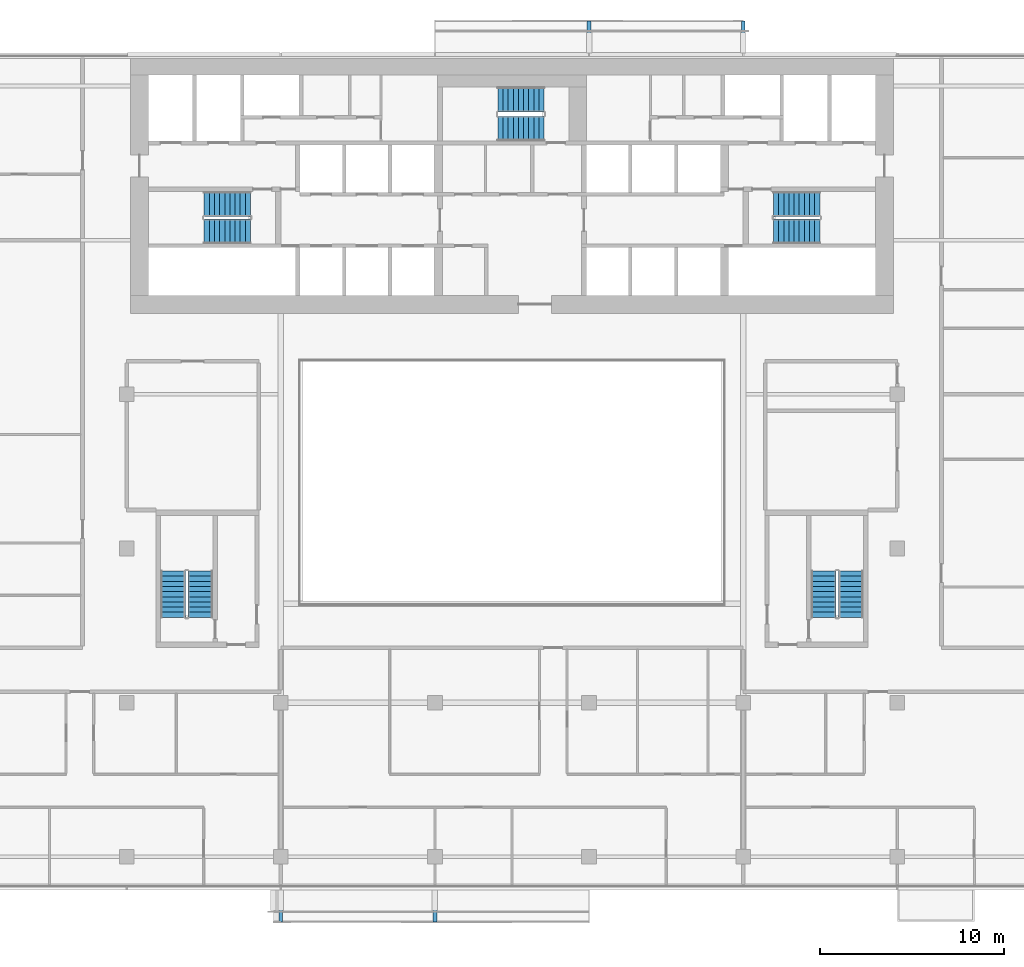
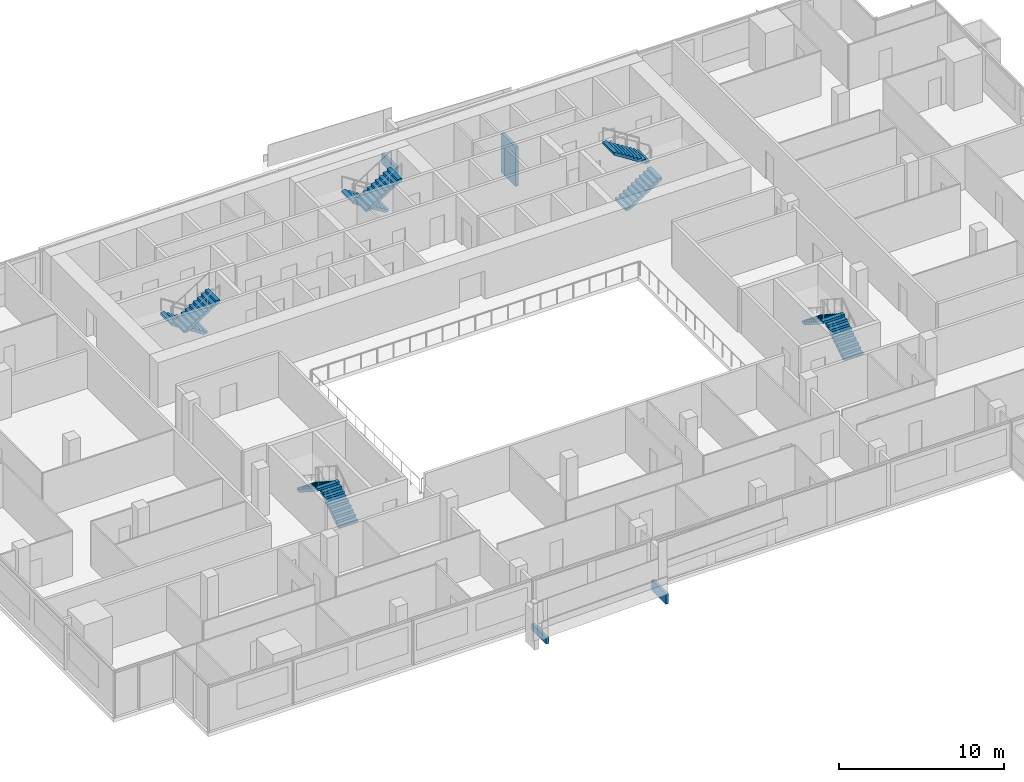
# One storey, part 24 of 26: 10 stair flights, 4 discrete accessories, 5 elements without a shape of their own.
"""IFC4 building model written with IfcOpenShell, lengths in metres."""

from ifc_helpers import new_model, si_unit, direction, frame, origin, origin_2d, place, context, subcontext, project, spatial, polyline, rectangle, outline, extrude, material, type_object, element, aggregate, save


model = new_model("IFC4")

# Units and contexts
model_context = context("Model", 3, precision=1e-05, world=origin(), true_north=direction((0.0, 1.0)))
body_context = subcontext(model_context, "Body", "Model", "MODEL_VIEW")
ifc_project = project(units=[si_unit("LENGTHUNIT", "METRE"), si_unit("AREAUNIT", "SQUARE_METRE"), si_unit("VOLUMEUNIT", "CUBIC_METRE"), si_unit("PLANEANGLEUNIT", "RADIAN"), si_unit("MASSUNIT", "GRAM", prefix="KILO")], contexts=[model_context])

# Site, building, storey
site_placement = place(None, origin())
site = spatial("IfcSite", under=ifc_project, at=site_placement, CompositionType="ELEMENT")
building_placement = place(site_placement, origin())
building = spatial("IfcBuilding", under=site, at=building_placement, Name="Saffron Gate Tower", CompositionType="ELEMENT")
storey_placement = place(building_placement, frame((0.0, 0.0, 120.449951171875)))
storey = spatial("IfcBuildingStorey", under=building, at=storey_placement, Name="L28", CompositionType="ELEMENT", Elevation=120.449951171875)

# Stair, stair flights
ifc_material = material(Name="Concrete C40", Category="concrete")
stair_type = type_object("IfcStairType", Name="ST7 Stair 1350 wide, 20 risers of 180", PredefinedType="HALF_TURN_STAIR", material=ifc_material)
stair_1_placement = place(storey_placement, origin())
stair_1 = element("IfcStair", 1, at=stair_1_placement, inside=storey, type_object=stair_type, Name="L28 Exit stair A", PredefinedType="HALF_TURN_STAIR")
stair_flight_type = type_object("IfcStairFlightType", Name="SF3 Stair flight 1350 wide, riser 180 going 280", PredefinedType="STRAIGHT", material=ifc_material)
stair_flight_1_placement = place(storey_placement, frame((73.35009765625, 67.375, 0.0), z_axis=(0.0, 0.0, 1.0), x_axis=(-1.0, 0.0, 0.0)))
stair_flight_1 = element("IfcStairFlight", 2, at=stair_flight_1_placement, type_object=stair_flight_type, Name="ST-A flight 1", NumberOfRisers=10, NumberOfTreads=9, PredefinedType="STRAIGHT", RiserHeight=0.18, TreadLength=0.28, context=body_context, shape_type="SweptSolid", body=[
    extrude(outline(polyline([(0.0, 0.0), (0.0, 0.179931640625), (0.280029296875, 0.179931640625), (0.280029296875, 0.360107421875), (0.56005859375, 0.360107421875), (0.56005859375, 0.5400390625), (0.840087890625, 0.5400390625), (0.840087890625, 0.719970703125), (1.1201171875, 0.719970703125), (1.1201171875, 0.89990234375), (1.39990234375, 0.89990234375), (1.39990234375, 1.080078125), (1.679931640625, 1.080078125), (1.679931640625, 1.260009765625), (1.9599609375, 1.260009765625), (1.9599609375, 1.43994140625), (2.239990234375, 1.43994140625), (2.239990234375, 1.6201171875), (2.52001953125, 1.6201171875), (2.52001953125, 1.800048828125), (2.52001953125, 1.44189453125), (0.277099609375, 0.0), (0.0, 0.0)])), frame((0.0, 0.675048828125, 0.0), z_axis=(0.0, -1.0, 0.0), x_axis=(1.0, 0.0, 0.0)), (0.0, 0.0, 1.0), 1.35009765625),
])
stair_flight_2_placement = place(storey_placement, frame((70.830078125, 65.875, 1.800048828125), z_axis=(0.0, 0.0, 1.0), x_axis=(1.0, 0.0, 0.0)))
stair_flight_2 = element("IfcStairFlight", 3, at=stair_flight_2_placement, type_object=stair_flight_type, Name="ST-A flight 2", NumberOfRisers=10, NumberOfTreads=9, PredefinedType="STRAIGHT", RiserHeight=0.18, TreadLength=0.28, context=body_context, shape_type="SweptSolid", body=[
    extrude(outline(polyline([(0.0, 0.0), (0.0, 0.179931640625), (0.280029296875, 0.179931640625), (0.280029296875, 0.360107421875), (0.56005859375, 0.360107421875), (0.56005859375, 0.5400390625), (0.840087890625, 0.5400390625), (0.840087890625, 0.719970703125), (1.1201171875, 0.719970703125), (1.1201171875, 0.89990234375), (1.39990234375, 0.89990234375), (1.39990234375, 1.080078125), (1.679931640625, 1.080078125), (1.679931640625, 1.260009765625), (1.9599609375, 1.260009765625), (1.9599609375, 1.43994140625), (2.239990234375, 1.43994140625), (2.239990234375, 1.6201171875), (2.52001953125, 1.6201171875), (2.52001953125, 1.800048828125), (2.52001953125, 1.44189453125), (0.277099609375, 0.0), (0.0, 0.0)])), frame((0.0, 0.675048828125, 0.0), z_axis=(0.0, -1.0, 0.0), x_axis=(1.0, 0.0, 0.0)), (0.0, 0.0, 1.0), 1.35009765625),
])
aggregate(stair_1, [stair_flight_1, stair_flight_2])

stair_2_placement = place(storey_placement, origin())
stair_2 = element("IfcStair", 4, at=stair_2_placement, inside=storey, type_object=stair_type, Name="L28 Exit stair B", PredefinedType="HALF_TURN_STAIR")
stair_flight_3_placement = place(storey_placement, frame((101.85009765625, 65.875, 0.0), z_axis=(0.0, 0.0, 1.0), x_axis=(1.0, 0.0, 0.0)))
stair_flight_3 = element("IfcStairFlight", 5, at=stair_flight_3_placement, type_object=stair_flight_type, Name="ST-B flight 1", NumberOfRisers=10, NumberOfTreads=9, PredefinedType="STRAIGHT", RiserHeight=0.18, TreadLength=0.28, context=body_context, shape_type="SweptSolid", body=[
    extrude(outline(polyline([(0.0, 0.0), (0.0, 0.179931640625), (0.280029296875, 0.179931640625), (0.280029296875, 0.360107421875), (0.56005859375, 0.360107421875), (0.56005859375, 0.5400390625), (0.840087890625, 0.5400390625), (0.840087890625, 0.719970703125), (1.1201171875, 0.719970703125), (1.1201171875, 0.89990234375), (1.39990234375, 0.89990234375), (1.39990234375, 1.080078125), (1.679931640625, 1.080078125), (1.679931640625, 1.260009765625), (1.9599609375, 1.260009765625), (1.9599609375, 1.43994140625), (2.239990234375, 1.43994140625), (2.239990234375, 1.6201171875), (2.52001953125, 1.6201171875), (2.52001953125, 1.800048828125), (2.52001953125, 1.44189453125), (0.277099609375, 0.0), (0.0, 0.0)])), frame((0.0, 0.675048828125, 0.0), z_axis=(0.0, -1.0, 0.0), x_axis=(1.0, 0.0, 0.0)), (0.0, 0.0, 1.0), 1.35009765625),
])
stair_flight_4_placement = place(storey_placement, frame((104.3701171875, 67.375, 1.800048828125), z_axis=(0.0, 0.0, 1.0), x_axis=(-1.0, 0.0, 0.0)))
stair_flight_4 = element("IfcStairFlight", 6, at=stair_flight_4_placement, type_object=stair_flight_type, Name="ST-B flight 2", NumberOfRisers=10, NumberOfTreads=9, PredefinedType="STRAIGHT", RiserHeight=0.18, TreadLength=0.28, context=body_context, shape_type="SweptSolid", body=[
    extrude(outline(polyline([(0.0, 0.0), (0.0, 0.179931640625), (0.280029296875, 0.179931640625), (0.280029296875, 0.360107421875), (0.56005859375, 0.360107421875), (0.56005859375, 0.5400390625), (0.840087890625, 0.5400390625), (0.840087890625, 0.719970703125), (1.1201171875, 0.719970703125), (1.1201171875, 0.89990234375), (1.39990234375, 0.89990234375), (1.39990234375, 1.080078125), (1.679931640625, 1.080078125), (1.679931640625, 1.260009765625), (1.9599609375, 1.260009765625), (1.9599609375, 1.43994140625), (2.239990234375, 1.43994140625), (2.239990234375, 1.6201171875), (2.52001953125, 1.6201171875), (2.52001953125, 1.800048828125), (2.52001953125, 1.44189453125), (0.277099609375, 0.0), (0.0, 0.0)])), frame((0.0, 0.675048828125, 0.0), z_axis=(0.0, -1.0, 0.0), x_axis=(1.0, 0.0, 0.0)), (0.0, 0.0, 1.0), 1.35009765625),
])
aggregate(stair_2, [stair_flight_3, stair_flight_4])

stair_3_placement = place(storey_placement, origin())
stair_3 = element("IfcStair", 7, at=stair_3_placement, inside=storey, type_object=stair_type, Name="L28 Exit stair C", PredefinedType="HALF_TURN_STAIR")
stair_flight_5_placement = place(storey_placement, frame((89.35009765625, 73.074951171875, 0.0), z_axis=(0.0, 0.0, 1.0), x_axis=(-1.0, 0.0, 0.0)))
stair_flight_5 = element("IfcStairFlight", 8, at=stair_flight_5_placement, type_object=stair_flight_type, Name="ST-C flight 1", NumberOfRisers=10, NumberOfTreads=9, PredefinedType="STRAIGHT", RiserHeight=0.18, TreadLength=0.28, context=body_context, shape_type="SweptSolid", body=[
    extrude(outline(polyline([(0.0, 0.0), (0.0, 0.179931640625), (0.280029296875, 0.179931640625), (0.280029296875, 0.360107421875), (0.56005859375, 0.360107421875), (0.56005859375, 0.5400390625), (0.840087890625, 0.5400390625), (0.840087890625, 0.719970703125), (1.1201171875, 0.719970703125), (1.1201171875, 0.89990234375), (1.39990234375, 0.89990234375), (1.39990234375, 1.080078125), (1.679931640625, 1.080078125), (1.679931640625, 1.260009765625), (1.9599609375, 1.260009765625), (1.9599609375, 1.43994140625), (2.239990234375, 1.43994140625), (2.239990234375, 1.6201171875), (2.52001953125, 1.6201171875), (2.52001953125, 1.800048828125), (2.52001953125, 1.44189453125), (0.277099609375, 0.0), (0.0, 0.0)])), frame((0.0, 0.675048828125, 0.0), z_axis=(0.0, -1.0, 0.0), x_axis=(1.0, 0.0, 0.0)), (0.0, 0.0, 1.0), 1.35009765625),
])
stair_flight_6_placement = place(storey_placement, frame((86.830078125, 71.47509765625, 1.800048828125), z_axis=(0.0, 0.0, 1.0), x_axis=(1.0, 0.0, 0.0)))
stair_flight_6 = element("IfcStairFlight", 9, at=stair_flight_6_placement, type_object=stair_flight_type, Name="ST-C flight 2", NumberOfRisers=10, NumberOfTreads=9, PredefinedType="STRAIGHT", RiserHeight=0.18, TreadLength=0.28, context=body_context, shape_type="SweptSolid", body=[
    extrude(outline(polyline([(0.0, 0.0), (0.0, 0.179931640625), (0.280029296875, 0.179931640625), (0.280029296875, 0.360107421875), (0.56005859375, 0.360107421875), (0.56005859375, 0.5400390625), (0.840087890625, 0.5400390625), (0.840087890625, 0.719970703125), (1.1201171875, 0.719970703125), (1.1201171875, 0.89990234375), (1.39990234375, 0.89990234375), (1.39990234375, 1.080078125), (1.679931640625, 1.080078125), (1.679931640625, 1.260009765625), (1.9599609375, 1.260009765625), (1.9599609375, 1.43994140625), (2.239990234375, 1.43994140625), (2.239990234375, 1.6201171875), (2.52001953125, 1.6201171875), (2.52001953125, 1.800048828125), (2.52001953125, 1.44189453125), (0.277099609375, 0.0), (0.0, 0.0)])), frame((0.0, 0.675048828125, 0.0), z_axis=(0.0, -1.0, 0.0), x_axis=(1.0, 0.0, 0.0)), (0.0, 0.0, 1.0), 1.35009765625),
])
aggregate(stair_3, [stair_flight_5, stair_flight_6])

stair_4_placement = place(storey_placement, origin())
stair_4 = element("IfcStair", 10, at=stair_4_placement, inside=storey, type_object=stair_type, Name="L28 Exit stair D", PredefinedType="HALF_TURN_STAIR")
stair_flight_7_placement = place(storey_placement, frame((70.625, 44.85009765625, 0.0), z_axis=(0.0, 0.0, 1.0), x_axis=(0.0, 1.0, 0.0)))
stair_flight_7 = element("IfcStairFlight", 11, at=stair_flight_7_placement, type_object=stair_flight_type, Name="ST-D flight 1", NumberOfRisers=10, NumberOfTreads=9, PredefinedType="STRAIGHT", RiserHeight=0.18, TreadLength=0.28, context=body_context, shape_type="SweptSolid", body=[
    extrude(outline(polyline([(0.0, 0.0), (0.0, 0.179931640625), (0.280029296875, 0.179931640625), (0.280029296875, 0.360107421875), (0.56005859375, 0.360107421875), (0.56005859375, 0.5400390625), (0.840087890625, 0.5400390625), (0.840087890625, 0.719970703125), (1.1201171875, 0.719970703125), (1.1201171875, 0.89990234375), (1.39990234375, 0.89990234375), (1.39990234375, 1.080078125), (1.679931640625, 1.080078125), (1.679931640625, 1.260009765625), (1.9599609375, 1.260009765625), (1.9599609375, 1.43994140625), (2.239990234375, 1.43994140625), (2.239990234375, 1.6201171875), (2.52001953125, 1.6201171875), (2.52001953125, 1.800048828125), (2.52001953125, 1.44189453125), (0.277099609375, 0.0), (0.0, 0.0)])), frame((0.0, 0.675048828125, 0.0), z_axis=(0.0, -1.0, 0.0), x_axis=(1.0, 0.0, 0.0)), (0.0, 0.0, 1.0), 1.35009765625),
])
stair_flight_8_placement = place(storey_placement, frame((69.125, 47.3701171875, 1.800048828125), z_axis=(0.0, 0.0, 1.0), x_axis=(0.0, -1.0, 0.0)))
stair_flight_8 = element("IfcStairFlight", 12, at=stair_flight_8_placement, type_object=stair_flight_type, Name="ST-D flight 2", NumberOfRisers=10, NumberOfTreads=9, PredefinedType="STRAIGHT", RiserHeight=0.18, TreadLength=0.28, context=body_context, shape_type="SweptSolid", body=[
    extrude(outline(polyline([(0.0, 0.0), (0.0, 0.179931640625), (0.280029296875, 0.179931640625), (0.280029296875, 0.360107421875), (0.56005859375, 0.360107421875), (0.56005859375, 0.5400390625), (0.840087890625, 0.5400390625), (0.840087890625, 0.719970703125), (1.1201171875, 0.719970703125), (1.1201171875, 0.89990234375), (1.39990234375, 0.89990234375), (1.39990234375, 1.080078125), (1.679931640625, 1.080078125), (1.679931640625, 1.260009765625), (1.9599609375, 1.260009765625), (1.9599609375, 1.43994140625), (2.239990234375, 1.43994140625), (2.239990234375, 1.6201171875), (2.52001953125, 1.6201171875), (2.52001953125, 1.800048828125), (2.52001953125, 1.44189453125), (0.277099609375, 0.0), (0.0, 0.0)])), frame((0.0, 0.675048828125, 0.0), z_axis=(0.0, -1.0, 0.0), x_axis=(1.0, 0.0, 0.0)), (0.0, 0.0, 1.0), 1.35009765625),
])
aggregate(stair_4, [stair_flight_7, stair_flight_8])

stair_5_placement = place(storey_placement, origin())
stair_5 = element("IfcStair", 13, at=stair_5_placement, inside=storey, type_object=stair_type, Name="L28 Exit stair E", PredefinedType="HALF_TURN_STAIR")
stair_flight_9_placement = place(storey_placement, frame((106.074951171875, 44.85009765625, 0.0), z_axis=(0.0, 0.0, 1.0), x_axis=(0.0, 1.0, 0.0)))
stair_flight_9 = element("IfcStairFlight", 14, at=stair_flight_9_placement, type_object=stair_flight_type, Name="ST-E flight 1", NumberOfRisers=10, NumberOfTreads=9, PredefinedType="STRAIGHT", RiserHeight=0.18, TreadLength=0.28, context=body_context, shape_type="SweptSolid", body=[
    extrude(outline(polyline([(0.0, 0.0), (0.0, 0.179931640625), (0.280029296875, 0.179931640625), (0.280029296875, 0.360107421875), (0.56005859375, 0.360107421875), (0.56005859375, 0.5400390625), (0.840087890625, 0.5400390625), (0.840087890625, 0.719970703125), (1.1201171875, 0.719970703125), (1.1201171875, 0.89990234375), (1.39990234375, 0.89990234375), (1.39990234375, 1.080078125), (1.679931640625, 1.080078125), (1.679931640625, 1.260009765625), (1.9599609375, 1.260009765625), (1.9599609375, 1.43994140625), (2.239990234375, 1.43994140625), (2.239990234375, 1.6201171875), (2.52001953125, 1.6201171875), (2.52001953125, 1.800048828125), (2.52001953125, 1.44189453125), (0.277099609375, 0.0), (0.0, 0.0)])), frame((0.0, 0.675048828125, 0.0), z_axis=(0.0, -1.0, 0.0), x_axis=(1.0, 0.0, 0.0)), (0.0, 0.0, 1.0), 1.35009765625),
])
stair_flight_10_placement = place(storey_placement, frame((104.574951171875, 47.3701171875, 1.800048828125), z_axis=(0.0, 0.0, 1.0), x_axis=(0.0, -1.0, 0.0)))
stair_flight_10 = element("IfcStairFlight", 15, at=stair_flight_10_placement, type_object=stair_flight_type, Name="ST-E flight 2", NumberOfRisers=10, NumberOfTreads=9, PredefinedType="STRAIGHT", RiserHeight=0.18, TreadLength=0.28, context=body_context, shape_type="SweptSolid", body=[
    extrude(outline(polyline([(0.0, 0.0), (0.0, 0.179931640625), (0.280029296875, 0.179931640625), (0.280029296875, 0.360107421875), (0.56005859375, 0.360107421875), (0.56005859375, 0.5400390625), (0.840087890625, 0.5400390625), (0.840087890625, 0.719970703125), (1.1201171875, 0.719970703125), (1.1201171875, 0.89990234375), (1.39990234375, 0.89990234375), (1.39990234375, 1.080078125), (1.679931640625, 1.080078125), (1.679931640625, 1.260009765625), (1.9599609375, 1.260009765625), (1.9599609375, 1.43994140625), (2.239990234375, 1.43994140625), (2.239990234375, 1.6201171875), (2.52001953125, 1.6201171875), (2.52001953125, 1.800048828125), (2.52001953125, 1.44189453125), (0.277099609375, 0.0), (0.0, 0.0)])), frame((0.0, 0.675048828125, 0.0), z_axis=(0.0, -1.0, 0.0), x_axis=(1.0, 0.0, 0.0)), (0.0, 0.0, 1.0), 1.35009765625),
])
aggregate(stair_5, [stair_flight_9, stair_flight_10])

# Discrete accessories
discrete_accessory_1_placement = place(storey_placement, frame((100.199951171875, 76.47509765625, -3.8798828125), z_axis=(0.0, 0.0, 1.0), x_axis=(-1.0, 0.0, 0.0)))
element("IfcDiscreteAccessory", 16, at=discrete_accessory_1_placement, inside=storey, Name="LEDGE rib", PredefinedType="BRACKET", context=body_context, shape_type="SweptSolid", body=[
    extrude(rectangle(XDim=0.199951171875, YDim=1.75, at=origin_2d()), origin(), (0.0, 0.0, 1.0), 2.923583984375),
])
discrete_accessory_2_placement = place(storey_placement, frame((91.800048828125, 76.47509765625, -0.27978515625), z_axis=(0.0, 0.0, 1.0), x_axis=(-1.0, 0.0, 0.0)))
element("IfcDiscreteAccessory", 17, at=discrete_accessory_2_placement, inside=storey, Name="LEDGE rib", PredefinedType="BRACKET", context=body_context, shape_type="SweptSolid", body=[
    extrude(rectangle(XDim=0.199951171875, YDim=1.75, at=origin_2d()), origin(), (0.0, 0.0, 1.0), 0.765869140625),
])
discrete_accessory_3_placement = place(storey_placement, frame((75.0, 29.125, -0.280029296875), z_axis=(0.0, 0.0, 1.0), x_axis=(1.0, 0.0, 0.0)))
element("IfcDiscreteAccessory", 18, at=discrete_accessory_3_placement, inside=storey, Name="LEDGE rib", PredefinedType="BRACKET", context=body_context, shape_type="SweptSolid", body=[
    extrude(rectangle(XDim=0.199951171875, YDim=1.75, at=origin_2d()), origin(), (0.0, 0.0, 1.0), 0.466796875),
])
discrete_accessory_4_placement = place(storey_placement, frame((83.39990234375, 29.125, -0.27978515625), z_axis=(0.0, 0.0, 1.0), x_axis=(1.0, 0.0, 0.0)))
element("IfcDiscreteAccessory", 19, at=discrete_accessory_4_placement, inside=storey, Name="LEDGE rib", PredefinedType="BRACKET", context=body_context, shape_type="SweptSolid", body=[
    extrude(rectangle(XDim=0.199951171875, YDim=1.75, at=origin_2d()), origin(), (0.0, 0.0, 1.0), 0.765869140625),
])

save(model, "model.ifc")
